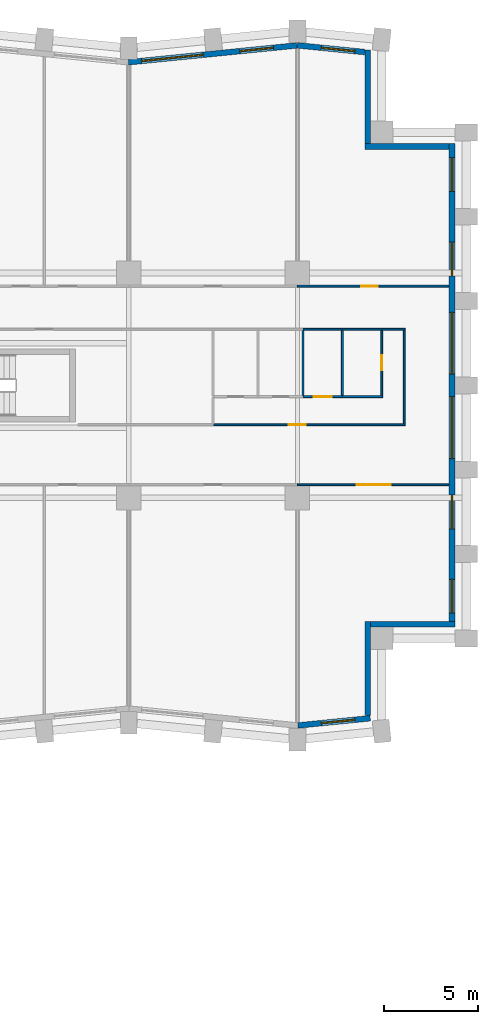
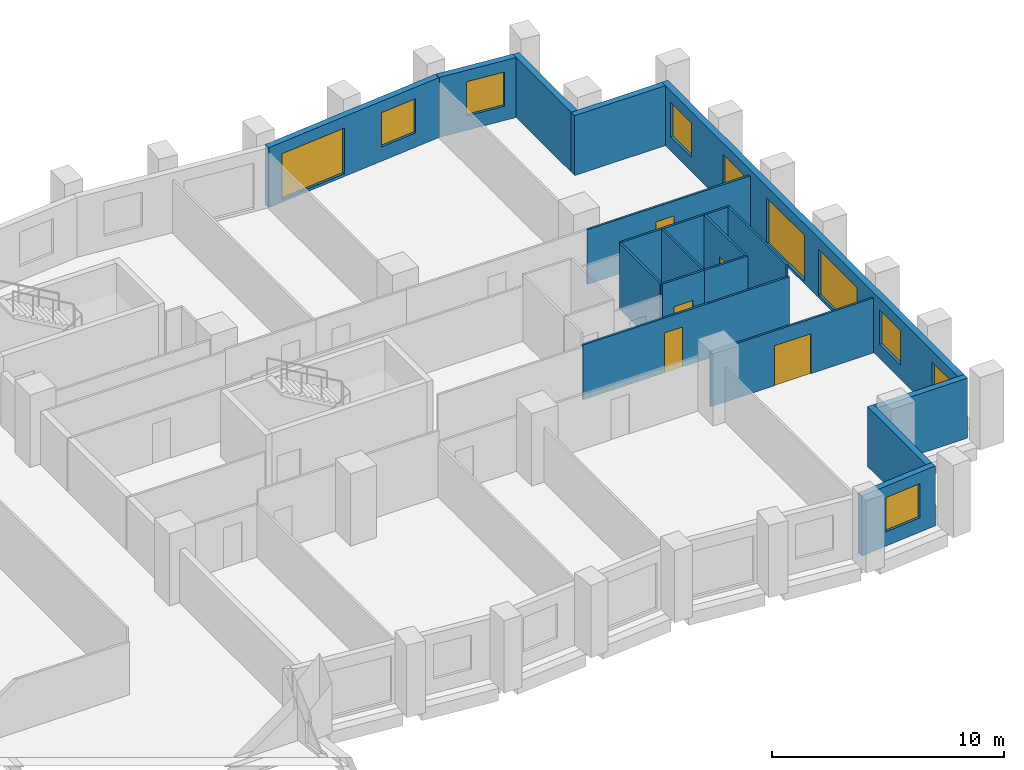
# One storey, part 8 of 11: 20 walls, 10 windows, 5 doors, 15 openings.
"""IFC4 building model written with IfcOpenShell, lengths in metres."""

from ifc_helpers import new_model, si_unit, direction, frame, frame_2d, origin, place, context, subcontext, project, spatial, rectangle, extrude, material, layer, layer_set, type_object, element, fill, save


model = new_model("IFC4")

# Units and contexts
model_context = context("Model", 3, precision=1e-05, world=origin(), true_north=direction((0.0, 1.0)))
body_context = subcontext(model_context, "Body", "Model", "MODEL_VIEW")
ifc_project = project(units=[si_unit("LENGTHUNIT", "METRE"), si_unit("AREAUNIT", "SQUARE_METRE"), si_unit("VOLUMEUNIT", "CUBIC_METRE"), si_unit("PLANEANGLEUNIT", "RADIAN"), si_unit("MASSUNIT", "GRAM", prefix="KILO")], contexts=[model_context])

# Site, building, storey
site_placement = place(None, origin())
site = spatial("IfcSite", under=ifc_project, at=site_placement, CompositionType="ELEMENT")
building_placement = place(site_placement, origin())
building = spatial("IfcBuilding", under=site, at=building_placement, Name="Brondeck Convention Tower", CompositionType="ELEMENT")
storey_placement = place(building_placement, frame((0.0, 0.0, 122.699951171875)))
storey = spatial("IfcBuildingStorey", under=building, at=storey_placement, Name="L29", CompositionType="ELEMENT", Elevation=122.699951171875)

# Wall, opening, window
ifc_material_1 = material(Name="Precast concrete C50/60 bronze finish", Category="concrete")
ifc_layer_1 = layer(ifc_material_1, 0.070068359375, Name="Bronze precast facing")
ifc_material_2 = material(Name="Mineral wool")
ifc_layer_2 = layer(ifc_material_2, 0.159912109375, Name="Insulation")
ifc_material_3 = material(Name="Concrete C35/45", Category="concrete")
ifc_layer_3 = layer(ifc_material_3, 0.070068359375, Name="Backing")
ifc_layer_set_1 = layer_set([ifc_layer_1, ifc_layer_2, ifc_layer_3], Name="External infill wall, precast concrete C50/60 bronze facing")
wall_type_1 = type_object("IfcWallType", Name="External infill wall, precast concrete C50/60 bronze facing", PredefinedType="SOLIDWALL", material=ifc_layer_set_1)
wall_1_placement = place(storey_placement, frame((66.885009765625, 27.2421875, 0.0), z_axis=(0.0, 0.0, 1.0), x_axis=(-0.995037814081, -0.099497480111, 0.0)))
wall_1 = element("IfcWall", 1, at=wall_1_placement, inside=storey, type_object=wall_type_1, Name="ENV-EW-L29-P0-A-S-06", PredefinedType="SOLIDWALL", context=body_context, shape_type="SweptSolid", body=[
    extrude(rectangle(XDim=3.87451171875, YDim=0.300048828125, at=frame_2d((1.937255859375, 0.0))), origin(), (0.0, 0.0, 1.0), 3.150146484375),
])
opening_1_placement = place(wall_1_placement, frame((0.818359375, 0.0, 0.75)))
opening_1 = element("IfcOpeningElement", 2, at=opening_1_placement, cuts=wall_1, Name="Opening W10", PredefinedType="OPENING", context=body_context, shape_type="SweptSolid", body=[
    extrude(rectangle(XDim=1.800048828125, YDim=1.800048828125, at=frame_2d((0.89990234375, 0.89990234375))), frame((0.0, 0.159912109375, 0.0), z_axis=(0.0, -1.0, 0.0), x_axis=(1.0, 0.0, 0.0)), (0.0, 0.0, 1.0), 0.320068359375),
])
ifc_material_4 = material(Name="Bronze tinted double glazing", Category="glass")
window_type_1 = type_object("IfcWindowType", Name="Punched window, bronze tinted", PartitioningType="SINGLE_PANEL", PredefinedType="WINDOW", material=ifc_material_4)
window_1_placement = place(opening_1_placement, origin())
window_1 = element("IfcWindow", 3, at=window_1_placement, inside=storey, type_object=window_type_1, Name="ENV-WN-L29-P0-A-S-06", OverallHeight=1.800048828125, OverallWidth=1.800048828125, PartitioningType="SINGLE_PANEL", PredefinedType="WINDOW", context=body_context, shape_type="SweptSolid", body=[
    extrude(rectangle(XDim=1.800048828125, YDim=1.800048828125, at=frame_2d((0.89990234375, 0.89990234375))), frame((0.0, 0.030029296875, 0.0), z_axis=(0.0, -1.0, 0.0), x_axis=(1.0, 0.0, 0.0)), (0.0, 0.0, 1.0), 0.06005859375),
])
fill(opening_1, window_1)

# Walls
wall_2_placement = place(storey_placement, frame((66.75, 32.39990234375, 0.0), z_axis=(0.0, 0.0, 1.0), x_axis=(0.0, -1.0, 0.0)))
element("IfcWall", 4, at=wall_2_placement, inside=storey, type_object=wall_type_1, Name="ENV-EW-L29-P0-NC-SEA72-01", PredefinedType="SOLIDWALL", context=body_context, shape_type="SweptSolid", body=[
    extrude(rectangle(XDim=5.019287109375, YDim=0.300048828125, at=frame_2d((2.509765625, 0.0))), origin(), (0.0, 0.0, 1.0), 3.150146484375),
])
wall_3_placement = place(storey_placement, frame((71.39990234375, 32.25, 0.0), z_axis=(0.0, 0.0, 1.0), x_axis=(-1.0, 0.0, 0.0)))
element("IfcWall", 5, at=wall_3_placement, inside=storey, type_object=wall_type_1, Name="ENV-EW-L29-P0-NC-SEA72-02", PredefinedType="SOLIDWALL", context=body_context, shape_type="SweptSolid", body=[
    extrude(rectangle(XDim=4.5, YDim=0.300048828125, at=frame_2d((2.25, 0.0))), origin(), (0.0, 0.0, 1.0), 3.150146484375),
])

# Wall, openings, windows
wall_4_placement = place(storey_placement, frame((71.25, 57.89990234375, 0.0), z_axis=(0.0, 0.0, 1.0), x_axis=(0.0, -1.0, 0.0)))
wall_4 = element("IfcWall", 6, at=wall_4_placement, inside=storey, type_object=wall_type_1, Name="ENV-EW-L29-P0-A-E72-01", PredefinedType="SOLIDWALL", context=body_context, shape_type="SweptSolid", body=[
    extrude(rectangle(XDim=25.501953125, YDim=0.300048828125, at=frame_2d((12.7509765625, 0.0))), origin(), (0.0, 0.0, 1.0), 3.150146484375),
])
opening_2_placement = place(wall_4_placement, frame((0.75, 0.0, 0.75)))
opening_2 = element("IfcOpeningElement", 7, at=opening_2_placement, cuts=wall_4, Name="Opening W10", PredefinedType="OPENING", context=body_context, shape_type="SweptSolid", body=[
    extrude(rectangle(XDim=1.800048828125, YDim=1.800048828125, at=frame_2d((0.89990234375, 0.89990234375))), frame((0.0, 0.159912109375, 0.0), z_axis=(0.0, -1.0, 0.0), x_axis=(1.0, 0.0, 0.0)), (0.0, 0.0, 1.0), 0.320068359375),
])
opening_3_placement = place(wall_4_placement, frame((5.25, 0.0, 0.75)))
opening_3 = element("IfcOpeningElement", 8, at=opening_3_placement, cuts=wall_4, Name="Opening W10", PredefinedType="OPENING", context=body_context, shape_type="SweptSolid", body=[
    extrude(rectangle(XDim=1.800048828125, YDim=1.800048828125, at=frame_2d((0.89990234375, 0.89990234375))), frame((0.0, 0.159912109375, 0.0), z_axis=(0.0, -1.0, 0.0), x_axis=(1.0, 0.0, 0.0)), (0.0, 0.0, 1.0), 0.320068359375),
])
opening_4_placement = place(wall_4_placement, frame((9.0, 0.0, 0.14990234375)))
opening_4 = element("IfcOpeningElement", 9, at=opening_4_placement, cuts=wall_4, Name="Opening W9", PredefinedType="OPENING", context=body_context, shape_type="SweptSolid", body=[
    extrude(rectangle(XDim=3.300048828125, YDim=2.39990234375, at=frame_2d((1.64990234375, 1.199951171875))), frame((0.0, 0.159912109375, 0.0), z_axis=(0.0, -1.0, 0.0), x_axis=(1.0, 0.0, 0.0)), (0.0, 0.0, 1.0), 0.320068359375),
])
opening_5_placement = place(wall_4_placement, frame((13.5, 0.0, 0.14990234375)))
opening_5 = element("IfcOpeningElement", 10, at=opening_5_placement, cuts=wall_4, Name="Opening W9", PredefinedType="OPENING", context=body_context, shape_type="SweptSolid", body=[
    extrude(rectangle(XDim=3.300048828125, YDim=2.39990234375, at=frame_2d((1.64990234375, 1.199951171875))), frame((0.0, 0.159912109375, 0.0), z_axis=(0.0, -1.0, 0.0), x_axis=(1.0, 0.0, 0.0)), (0.0, 0.0, 1.0), 0.320068359375),
])
opening_6_placement = place(wall_4_placement, frame((18.75, 0.0, 0.75)))
opening_6 = element("IfcOpeningElement", 11, at=opening_6_placement, cuts=wall_4, Name="Opening W10", PredefinedType="OPENING", context=body_context, shape_type="SweptSolid", body=[
    extrude(rectangle(XDim=1.800048828125, YDim=1.800048828125, at=frame_2d((0.89990234375, 0.89990234375))), frame((0.0, 0.159912109375, 0.0), z_axis=(0.0, -1.0, 0.0), x_axis=(1.0, 0.0, 0.0)), (0.0, 0.0, 1.0), 0.320068359375),
])
opening_7_placement = place(wall_4_placement, frame((23.25, 0.0, 0.75)))
opening_7 = element("IfcOpeningElement", 12, at=opening_7_placement, cuts=wall_4, Name="Opening W10", PredefinedType="OPENING", context=body_context, shape_type="SweptSolid", body=[
    extrude(rectangle(XDim=1.800048828125, YDim=1.800048828125, at=frame_2d((0.89990234375, 0.89990234375))), frame((0.0, 0.159912109375, 0.0), z_axis=(0.0, -1.0, 0.0), x_axis=(1.0, 0.0, 0.0)), (0.0, 0.0, 1.0), 0.320068359375),
])
window_type_2 = type_object("IfcWindowType", Name="Glazed flute window, bronze tinted", PartitioningType="SINGLE_PANEL", PredefinedType="WINDOW", material=ifc_material_4)
window_2_placement = place(opening_4_placement, origin())
window_2 = element("IfcWindow", 13, at=window_2_placement, inside=storey, type_object=window_type_2, Name="ENV-WN-L29-P0-A-E72-04", OverallHeight=2.39990234375, OverallWidth=3.300048828125, PartitioningType="SINGLE_PANEL", PredefinedType="WINDOW", context=body_context, shape_type="SweptSolid", body=[
    extrude(rectangle(XDim=3.300048828125, YDim=2.39990234375, at=frame_2d((1.64990234375, 1.199951171875))), frame((0.0, 0.030029296875, 0.0), z_axis=(0.0, -1.0, 0.0), x_axis=(1.0, 0.0, 0.0)), (0.0, 0.0, 1.0), 0.06005859375),
])
fill(opening_4, window_2)
window_3_placement = place(opening_5_placement, origin())
window_3 = element("IfcWindow", 14, at=window_3_placement, inside=storey, type_object=window_type_2, Name="ENV-WN-L29-P0-A-E72-03", OverallHeight=2.39990234375, OverallWidth=3.300048828125, PartitioningType="SINGLE_PANEL", PredefinedType="WINDOW", context=body_context, shape_type="SweptSolid", body=[
    extrude(rectangle(XDim=3.300048828125, YDim=2.39990234375, at=frame_2d((1.64990234375, 1.199951171875))), frame((0.0, 0.030029296875, 0.0), z_axis=(0.0, -1.0, 0.0), x_axis=(1.0, 0.0, 0.0)), (0.0, 0.0, 1.0), 0.06005859375),
])
fill(opening_5, window_3)
window_4_placement = place(opening_2_placement, origin())
window_4 = element("IfcWindow", 15, at=window_4_placement, inside=storey, type_object=window_type_1, Name="ENV-WN-L29-P0-A-E72-06", OverallHeight=1.800048828125, OverallWidth=1.800048828125, PartitioningType="SINGLE_PANEL", PredefinedType="WINDOW", context=body_context, shape_type="SweptSolid", body=[
    extrude(rectangle(XDim=1.800048828125, YDim=1.800048828125, at=frame_2d((0.89990234375, 0.89990234375))), frame((0.0, 0.030029296875, 0.0), z_axis=(0.0, -1.0, 0.0), x_axis=(1.0, 0.0, 0.0)), (0.0, 0.0, 1.0), 0.06005859375),
])
fill(opening_2, window_4)
window_5_placement = place(opening_3_placement, origin())
window_5 = element("IfcWindow", 16, at=window_5_placement, inside=storey, type_object=window_type_1, Name="ENV-WN-L29-P0-A-E72-05", OverallHeight=1.800048828125, OverallWidth=1.800048828125, PartitioningType="SINGLE_PANEL", PredefinedType="WINDOW", context=body_context, shape_type="SweptSolid", body=[
    extrude(rectangle(XDim=1.800048828125, YDim=1.800048828125, at=frame_2d((0.89990234375, 0.89990234375))), frame((0.0, 0.030029296875, 0.0), z_axis=(0.0, -1.0, 0.0), x_axis=(1.0, 0.0, 0.0)), (0.0, 0.0, 1.0), 0.06005859375),
])
fill(opening_3, window_5)
window_6_placement = place(opening_6_placement, origin())
window_6 = element("IfcWindow", 17, at=window_6_placement, inside=storey, type_object=window_type_1, Name="ENV-WN-L29-P0-A-E72-02", OverallHeight=1.800048828125, OverallWidth=1.800048828125, PartitioningType="SINGLE_PANEL", PredefinedType="WINDOW", context=body_context, shape_type="SweptSolid", body=[
    extrude(rectangle(XDim=1.800048828125, YDim=1.800048828125, at=frame_2d((0.89990234375, 0.89990234375))), frame((0.0, 0.030029296875, 0.0), z_axis=(0.0, -1.0, 0.0), x_axis=(1.0, 0.0, 0.0)), (0.0, 0.0, 1.0), 0.06005859375),
])
fill(opening_6, window_6)
window_7_placement = place(opening_7_placement, origin())
window_7 = element("IfcWindow", 18, at=window_7_placement, inside=storey, type_object=window_type_1, Name="ENV-WN-L29-P0-A-E72-01", OverallHeight=1.800048828125, OverallWidth=1.800048828125, PartitioningType="SINGLE_PANEL", PredefinedType="WINDOW", context=body_context, shape_type="SweptSolid", body=[
    extrude(rectangle(XDim=1.800048828125, YDim=1.800048828125, at=frame_2d((0.89990234375, 0.89990234375))), frame((0.0, 0.030029296875, 0.0), z_axis=(0.0, -1.0, 0.0), x_axis=(1.0, 0.0, 0.0)), (0.0, 0.0, 1.0), 0.06005859375),
])
fill(opening_7, window_7)

# Walls
wall_5_placement = place(storey_placement, frame((66.60009765625, 57.75, 0.0), z_axis=(0.0, 0.0, 1.0), x_axis=(1.0, 0.0, 0.0)))
element("IfcWall", 19, at=wall_5_placement, inside=storey, type_object=wall_type_1, Name="ENV-EW-L29-P0-NC-NEA72-01", PredefinedType="SOLIDWALL", context=body_context, shape_type="SweptSolid", body=[
    extrude(rectangle(XDim=4.5, YDim=0.300048828125, at=frame_2d((2.25, 0.0))), origin(), (0.0, 0.0, 1.0), 3.150146484375),
])
wall_6_placement = place(storey_placement, frame((66.75, 62.906982421875, 0.0), z_axis=(0.0, 0.0, 1.0), x_axis=(0.0, -1.0, 0.0)))
element("IfcWall", 20, at=wall_6_placement, inside=storey, type_object=wall_type_1, Name="ENV-EW-L29-P0-NC-NEA72-02", PredefinedType="SOLIDWALL", context=body_context, shape_type="SweptSolid", body=[
    extrude(rectangle(XDim=5.009033203125, YDim=0.300048828125, at=frame_2d((2.50439453125, 0.0))), origin(), (0.0, 0.0, 1.0), 3.150146484375),
])

# Wall, opening, window
wall_7_placement = place(storey_placement, frame((62.985107421875, 63.147705078125, 0.0), z_axis=(0.0, 0.0, 1.0), x_axis=(0.995038521274, -0.099490407478, 0.0)))
wall_7 = element("IfcWall", 21, at=wall_7_placement, inside=storey, type_object=wall_type_1, Name="ENV-EW-L29-P0-A-N-14", PredefinedType="SOLIDWALL", context=body_context, shape_type="SweptSolid", body=[
    extrude(rectangle(XDim=3.6318359375, YDim=0.300048828125, at=frame_2d((1.81591796875, 0.0))), origin(), (0.0, 0.0, 1.0), 3.150146484375),
])
opening_8_placement = place(wall_7_placement, frame((1.30126953125, 0.0, 0.75)))
opening_8 = element("IfcOpeningElement", 22, at=opening_8_placement, cuts=wall_7, Name="Opening W10", PredefinedType="OPENING", context=body_context, shape_type="SweptSolid", body=[
    extrude(rectangle(XDim=1.800048828125, YDim=1.800048828125, at=frame_2d((0.89990234375, 0.89990234375))), frame((0.0, 0.159912109375, 0.0), z_axis=(0.0, -1.0, 0.0), x_axis=(1.0, 0.0, 0.0)), (0.0, 0.0, 1.0), 0.320068359375),
])
window_8_placement = place(opening_8_placement, origin())
window_8 = element("IfcWindow", 23, at=window_8_placement, inside=storey, type_object=window_type_1, Name="ENV-WN-L29-P0-A-N-14", OverallHeight=1.800048828125, OverallWidth=1.800048828125, PartitioningType="SINGLE_PANEL", PredefinedType="WINDOW", context=body_context, shape_type="SweptSolid", body=[
    extrude(rectangle(XDim=1.800048828125, YDim=1.800048828125, at=frame_2d((0.89990234375, 0.89990234375))), frame((0.0, 0.030029296875, 0.0), z_axis=(0.0, -1.0, 0.0), x_axis=(1.0, 0.0, 0.0)), (0.0, 0.0, 1.0), 0.06005859375),
])
fill(opening_8, window_8)

# Wall, openings, windows
wall_8_placement = place(storey_placement, frame((53.985107421875, 62.244873046875, 0.0), z_axis=(0.0, 0.0, 1.0), x_axis=(0.995037993253, 0.099495688264, 0.0)))
wall_8 = element("IfcWall", 24, at=wall_8_placement, inside=storey, type_object=wall_type_1, Name="ENV-EW-L29-P0-A-N-13", PredefinedType="SOLIDWALL", context=body_context, shape_type="SweptSolid", body=[
    extrude(rectangle(XDim=9.030029296875, YDim=0.300048828125, at=frame_2d((4.51513671875, 0.0))), origin(), (0.0, 0.0, 1.0), 3.150146484375),
])
opening_9_placement = place(wall_8_placement, frame((0.701171875, 0.0, 0.14990234375)))
opening_9 = element("IfcOpeningElement", 25, at=opening_9_placement, cuts=wall_8, Name="Opening W9", PredefinedType="OPENING", context=body_context, shape_type="SweptSolid", body=[
    extrude(rectangle(XDim=3.300048828125, YDim=2.39990234375, at=frame_2d((1.64990234375, 1.199951171875))), frame((0.0, 0.159912109375, 0.0), z_axis=(0.0, -1.0, 0.0), x_axis=(1.0, 0.0, 0.0)), (0.0, 0.0, 1.0), 0.320068359375),
])
opening_10_placement = place(wall_8_placement, frame((5.9736328125, 0.0, 0.75)))
opening_10 = element("IfcOpeningElement", 26, at=opening_10_placement, cuts=wall_8, Name="Opening W10", PredefinedType="OPENING", context=body_context, shape_type="SweptSolid", body=[
    extrude(rectangle(XDim=1.800048828125, YDim=1.800048828125, at=frame_2d((0.89990234375, 0.89990234375))), frame((0.0, 0.159912109375, 0.0), z_axis=(0.0, -1.0, 0.0), x_axis=(1.0, 0.0, 0.0)), (0.0, 0.0, 1.0), 0.320068359375),
])
window_9_placement = place(opening_9_placement, origin())
window_9 = element("IfcWindow", 27, at=window_9_placement, inside=storey, type_object=window_type_2, Name="ENV-WN-L29-P0-A-N-12", OverallHeight=2.39990234375, OverallWidth=3.300048828125, PartitioningType="SINGLE_PANEL", PredefinedType="WINDOW", context=body_context, shape_type="SweptSolid", body=[
    extrude(rectangle(XDim=3.300048828125, YDim=2.39990234375, at=frame_2d((1.64990234375, 1.199951171875))), frame((0.0, 0.030029296875, 0.0), z_axis=(0.0, -1.0, 0.0), x_axis=(1.0, 0.0, 0.0)), (0.0, 0.0, 1.0), 0.06005859375),
])
fill(opening_9, window_9)
window_10_placement = place(opening_10_placement, origin())
window_10 = element("IfcWindow", 28, at=window_10_placement, inside=storey, type_object=window_type_1, Name="ENV-WN-L29-P0-A-N-13", OverallHeight=1.800048828125, OverallWidth=1.800048828125, PartitioningType="SINGLE_PANEL", PredefinedType="WINDOW", context=body_context, shape_type="SweptSolid", body=[
    extrude(rectangle(XDim=1.800048828125, YDim=1.800048828125, at=frame_2d((0.89990234375, 0.89990234375))), frame((0.0, 0.030029296875, 0.0), z_axis=(0.0, -1.0, 0.0), x_axis=(1.0, 0.0, 0.0)), (0.0, 0.0, 1.0), 0.06005859375),
])
fill(opening_10, window_10)

# Wall, opening, door
ifc_material_5 = material(Name="Gypsum board partition on steel studs", Category="steel")
ifc_layer_4 = layer(ifc_material_5, 0.10009765625)
ifc_layer_set_2 = layer_set([ifc_layer_4], Name="Room partition 100")
wall_type_2 = type_object("IfcWallType", Name="Room partition 100", PredefinedType="PARTITIONING", material=ifc_layer_set_2)
wall_9_placement = place(storey_placement, frame((71.080078125, 39.699951171875, 0.0), z_axis=(0.0, 0.0, 1.0), x_axis=(-1.0, 0.0, 0.0)))
wall_9 = element("IfcWall", 29, at=wall_9_placement, inside=storey, type_object=wall_type_2, Name="FLR-L29-W039", PredefinedType="PARTITIONING", context=body_context, shape_type="SweptSolid", body=[
    extrude(rectangle(XDim=8.080078125, YDim=0.10009765625, at=frame_2d((4.0400390625, 0.0))), origin(), (0.0, 0.0, 1.0), 2.880126953125),
])
opening_11_placement = place(wall_9_placement, frame((3.10595703125, 0.0, 0.0)))
opening_11 = element("IfcOpeningElement", 30, at=opening_11_placement, cuts=wall_9, Name="Opening OF-D-013", PredefinedType="OPENING", context=body_context, shape_type="SweptSolid", body=[
    extrude(rectangle(XDim=1.800048828125, YDim=2.10009765625, at=frame_2d((0.89990234375, 1.050048828125))), frame((0.0, 0.06005859375, 0.0), z_axis=(0.0, -1.0, 0.0), x_axis=(1.0, 0.0, 0.0)), (0.0, 0.0, 1.0), 0.1201171875),
])
ifc_material_6 = material(Name="Glazed timber double door", Category="wood")
door_type_1 = type_object("IfcDoorType", Name="Double door 1800", OperationType="DOUBLE_DOOR_SINGLE_SWING", PredefinedType="DOOR", material=ifc_material_6)
door_1_placement = place(opening_11_placement, origin())
door_1 = element("IfcDoor", 31, at=door_1_placement, inside=storey, type_object=door_type_1, Name="Door OF-D-013", OperationType="DOUBLE_DOOR_SINGLE_SWING", OverallHeight=2.10009765625, OverallWidth=1.800048828125, PredefinedType="DOOR", context=body_context, shape_type="SweptSolid", body=[
    extrude(rectangle(XDim=1.800048828125, YDim=2.10009765625, at=frame_2d((0.89990234375, 1.050048828125))), frame((0.0, 0.02490234375, 0.0), z_axis=(0.0, -1.0, 0.0), x_axis=(1.0, 0.0, 0.0)), (0.0, 0.0, 1.0), 0.050048828125),
])
fill(opening_11, door_1)

wall_10_placement = place(storey_placement, frame((58.5, 42.89990234375, 0.0), z_axis=(0.0, 0.0, 1.0), x_axis=(1.0, 0.0, 0.0)))
wall_10 = element("IfcWall", 32, at=wall_10_placement, inside=storey, type_object=wall_type_2, Name="FLR-L29-W043", PredefinedType="PARTITIONING", context=body_context, shape_type="SweptSolid", body=[
    extrude(rectangle(XDim=10.25, YDim=0.10009765625, at=frame_2d((5.125, 0.0))), origin(), (0.0, 0.0, 1.0), 2.880126953125),
])
opening_12_placement = place(wall_10_placement, frame((4.050048828125, 0.0, 0.0)))
opening_12 = element("IfcOpeningElement", 33, at=opening_12_placement, cuts=wall_10, Name="Opening OF-D-004", PredefinedType="OPENING", context=body_context, shape_type="SweptSolid", body=[
    extrude(rectangle(XDim=0.89990234375, YDim=2.10009765625, at=frame_2d((0.449951171875, 1.050048828125))), frame((0.0, 0.06005859375, 0.0), z_axis=(0.0, -1.0, 0.0), x_axis=(1.0, 0.0, 0.0)), (0.0, 0.0, 1.0), 0.1201171875),
])
ifc_material_7 = material(Name="Solid timber door leaf", Category="wood")
door_type_2 = type_object("IfcDoorType", Name="Single door 900", OperationType="NOTDEFINED", PredefinedType="DOOR", material=ifc_material_7)
door_2_placement = place(opening_12_placement, origin())
door_2 = element("IfcDoor", 34, at=door_2_placement, inside=storey, type_object=door_type_2, Name="Door OF-D-004", OperationType="SINGLE_SWING_LEFT", OverallHeight=2.10009765625, OverallWidth=0.89990234375, PredefinedType="DOOR", context=body_context, shape_type="SweptSolid", body=[
    extrude(rectangle(XDim=0.89990234375, YDim=2.10009765625, at=frame_2d((0.449951171875, 1.050048828125))), frame((0.0, 0.02490234375, 0.0), z_axis=(0.0, -1.0, 0.0), x_axis=(1.0, 0.0, 0.0)), (0.0, 0.0, 1.0), 0.050048828125),
])
fill(opening_12, door_2)

# Wall
wall_11_placement = place(storey_placement, frame((68.699951171875, 42.949951171875, 0.0), z_axis=(0.0, 0.0, 1.0), x_axis=(0.0, 1.0, 0.0)))
element("IfcWall", 35, at=wall_11_placement, inside=storey, type_object=wall_type_2, Name="FLR-L29-W045", PredefinedType="PARTITIONING", context=body_context, shape_type="SweptSolid", body=[
    extrude(rectangle(XDim=5.0, YDim=0.10009765625, at=frame_2d((2.5, 0.0))), origin(), (0.0, 0.0, 1.0), 3.47998046875),
])

# Wall, opening, door
wall_12_placement = place(storey_placement, frame((63.300048828125, 44.39990234375, 0.0), z_axis=(0.0, 0.0, 1.0), x_axis=(1.0, 0.0, 0.0)))
wall_12 = element("IfcWall", 36, at=wall_12_placement, inside=storey, type_object=wall_type_2, Name="FLR-L29-W049", PredefinedType="PARTITIONING", context=body_context, shape_type="SweptSolid", body=[
    extrude(rectangle(XDim=2.099853515625, YDim=0.10009765625, at=frame_2d((1.0498046875, 0.0))), origin(), (0.0, 0.0, 1.0), 3.47998046875),
])
opening_13_placement = place(wall_12_placement, frame((0.574951171875, 0.0, 0.0)))
opening_13 = element("IfcOpeningElement", 37, at=opening_13_placement, cuts=wall_12, Name="Opening OF-D-007", PredefinedType="OPENING", context=body_context, shape_type="SweptSolid", body=[
    extrude(rectangle(XDim=0.949951171875, YDim=2.10009765625, at=frame_2d((0.47509765625, 1.050048828125))), frame((0.0, 0.06005859375, 0.0), z_axis=(0.0, -1.0, 0.0), x_axis=(1.0, 0.0, 0.0)), (0.0, 0.0, 1.0), 0.1201171875),
])
door_type_3 = type_object("IfcDoorType", Name="Accessible door 950", OperationType="NOTDEFINED", PredefinedType="DOOR", material=ifc_material_7)
door_3_placement = place(opening_13_placement, origin())
door_3 = element("IfcDoor", 38, at=door_3_placement, inside=storey, type_object=door_type_3, Name="Door OF-D-007", OperationType="SINGLE_SWING_LEFT", OverallHeight=2.10009765625, OverallWidth=0.949951171875, PredefinedType="DOOR", context=body_context, shape_type="SweptSolid", body=[
    extrude(rectangle(XDim=0.949951171875, YDim=2.10009765625, at=frame_2d((0.47509765625, 1.050048828125))), frame((0.0, 0.02490234375, 0.0), z_axis=(0.0, -1.0, 0.0), x_axis=(1.0, 0.0, 0.0)), (0.0, 0.0, 1.0), 0.050048828125),
])
fill(opening_13, door_3)

# Wall
wall_13_placement = place(storey_placement, frame((65.39990234375, 44.39990234375, 0.0), z_axis=(0.0, 0.0, 1.0), x_axis=(1.0, 0.0, 0.0)))
element("IfcWall", 39, at=wall_13_placement, inside=storey, type_object=wall_type_2, Name="FLR-L29-W050", PredefinedType="PARTITIONING", context=body_context, shape_type="SweptSolid", body=[
    extrude(rectangle(XDim=2.150146484375, YDim=0.10009765625, at=frame_2d((1.0751953125, 0.0))), origin(), (0.0, 0.0, 1.0), 3.47998046875),
])

# Wall, opening, door
wall_14_placement = place(storey_placement, frame((67.5, 44.449951171875, 0.0), z_axis=(0.0, 0.0, 1.0), x_axis=(0.0, 1.0, 0.0)))
wall_14 = element("IfcWall", 40, at=wall_14_placement, inside=storey, type_object=wall_type_2, Name="FLR-L29-W051", PredefinedType="PARTITIONING", context=body_context, shape_type="SweptSolid", body=[
    extrude(rectangle(XDim=3.5, YDim=0.10009765625, at=frame_2d((1.75, 0.0))), origin(), (0.0, 0.0, 1.0), 3.47998046875),
])
opening_14_placement = place(wall_14_placement, frame((1.35009765625, 0.0, 0.0)))
opening_14 = element("IfcOpeningElement", 41, at=opening_14_placement, cuts=wall_14, Name="Opening OF-D-008", PredefinedType="OPENING", context=body_context, shape_type="SweptSolid", body=[
    extrude(rectangle(XDim=0.800048828125, YDim=2.10009765625, at=frame_2d((0.39990234375, 1.050048828125))), frame((0.0, 0.06005859375, 0.0), z_axis=(0.0, -1.0, 0.0), x_axis=(1.0, 0.0, 0.0)), (0.0, 0.0, 1.0), 0.1201171875),
])
ifc_material_8 = material(Name="Steel service door leaf", Category="steel")
door_type_4 = type_object("IfcDoorType", Name="Service door 800", OperationType="NOTDEFINED", PredefinedType="DOOR", material=ifc_material_8)
door_4_placement = place(opening_14_placement, origin())
door_4 = element("IfcDoor", 42, at=door_4_placement, inside=storey, type_object=door_type_4, Name="Door OF-D-008", OperationType="SINGLE_SWING_LEFT", OverallHeight=2.10009765625, OverallWidth=0.800048828125, PredefinedType="DOOR", context=body_context, shape_type="SweptSolid", body=[
    extrude(rectangle(XDim=0.800048828125, YDim=2.10009765625, at=frame_2d((0.39990234375, 1.050048828125))), frame((0.0, 0.02490234375, 0.0), z_axis=(0.0, -1.0, 0.0), x_axis=(1.0, 0.0, 0.0)), (0.0, 0.0, 1.0), 0.050048828125),
])
fill(opening_14, door_4)

# Walls
for number, where, z_axis, x_axis, name in (
    (43, (63.300048828125, 47.949951171875, 0.0), (0.0, 0.0, 1.0), (0.0, -1.0, 0.0), "FLR-L29-W055"),
    (44, (65.39990234375, 47.949951171875, 0.0), (0.0, 0.0, 1.0), (0.0, -1.0, 0.0), "FLR-L29-W056"),
):
    element("IfcWall", number, at=place(storey_placement, frame(where, z_axis=z_axis, x_axis=x_axis)), inside=storey, type_object=wall_type_2, Name=name, PredefinedType="PARTITIONING", context=body_context, shape_type="SweptSolid", body=[
        extrude(rectangle(XDim=3.5, YDim=0.10009765625, at=frame_2d((1.75, 0.0))), origin(), (0.0, 0.0, 1.0), 3.47998046875),
    ])
wall_15_placement = place(storey_placement, frame((65.39990234375, 48.0, 0.0), z_axis=(0.0, 0.0, 1.0), x_axis=(-1.0, 0.0, 0.0)))
element("IfcWall", 45, at=wall_15_placement, inside=storey, type_object=wall_type_2, Name="FLR-L29-W061", PredefinedType="PARTITIONING", context=body_context, shape_type="SweptSolid", body=[
    extrude(rectangle(XDim=2.099853515625, YDim=0.10009765625, at=frame_2d((1.0498046875, 0.0))), origin(), (0.0, 0.0, 1.0), 3.47998046875),
])
wall_16_placement = place(storey_placement, frame((67.5, 48.0, 0.0), z_axis=(0.0, 0.0, 1.0), x_axis=(-1.0, 0.0, 0.0)))
element("IfcWall", 46, at=wall_16_placement, inside=storey, type_object=wall_type_2, Name="FLR-L29-W062", PredefinedType="PARTITIONING", context=body_context, shape_type="SweptSolid", body=[
    extrude(rectangle(XDim=2.10009765625, YDim=0.10009765625, at=frame_2d((1.050048828125, 0.0))), origin(), (0.0, 0.0, 1.0), 3.47998046875),
])
wall_17_placement = place(storey_placement, frame((68.75, 48.0, 0.0), z_axis=(0.0, 0.0, 1.0), x_axis=(-1.0, 0.0, 0.0)))
element("IfcWall", 47, at=wall_17_placement, inside=storey, type_object=wall_type_2, Name="FLR-L29-W063", PredefinedType="PARTITIONING", context=body_context, shape_type="SweptSolid", body=[
    extrude(rectangle(XDim=1.25, YDim=0.10009765625, at=frame_2d((0.625, 0.0))), origin(), (0.0, 0.0, 1.0), 3.47998046875),
])

# Wall, opening, door
wall_18_placement = place(storey_placement, frame((63.0, 50.300048828125, 0.0), z_axis=(0.0, 0.0, 1.0), x_axis=(1.0, 0.0, 0.0)))
wall_18 = element("IfcWall", 48, at=wall_18_placement, inside=storey, type_object=wall_type_2, Name="FLR-L29-W069", PredefinedType="PARTITIONING", context=body_context, shape_type="SweptSolid", body=[
    extrude(rectangle(XDim=8.080078125, YDim=0.10009765625, at=frame_2d((4.0400390625, 0.0))), origin(), (0.0, 0.0, 1.0), 2.880126953125),
])
opening_15_placement = place(wall_18_placement, frame((3.39892578125, 0.0, 0.0)))
opening_15 = element("IfcOpeningElement", 49, at=opening_15_placement, cuts=wall_18, Name="Opening OF-D-017", PredefinedType="OPENING", context=body_context, shape_type="SweptSolid", body=[
    extrude(rectangle(XDim=0.89990234375, YDim=2.10009765625, at=frame_2d((0.449951171875, 1.050048828125))), frame((0.0, 0.06005859375, 0.0), z_axis=(0.0, -1.0, 0.0), x_axis=(1.0, 0.0, 0.0)), (0.0, 0.0, 1.0), 0.1201171875),
])
door_5_placement = place(opening_15_placement, origin())
door_5 = element("IfcDoor", 50, at=door_5_placement, inside=storey, type_object=door_type_2, Name="Door OF-D-017", OperationType="SINGLE_SWING_LEFT", OverallHeight=2.10009765625, OverallWidth=0.89990234375, PredefinedType="DOOR", context=body_context, shape_type="SweptSolid", body=[
    extrude(rectangle(XDim=0.89990234375, YDim=2.10009765625, at=frame_2d((0.449951171875, 1.050048828125))), frame((0.0, 0.02490234375, 0.0), z_axis=(0.0, -1.0, 0.0), x_axis=(1.0, 0.0, 0.0)), (0.0, 0.0, 1.0), 0.050048828125),
])
fill(opening_15, door_5)

save(model, "model.ifc")
